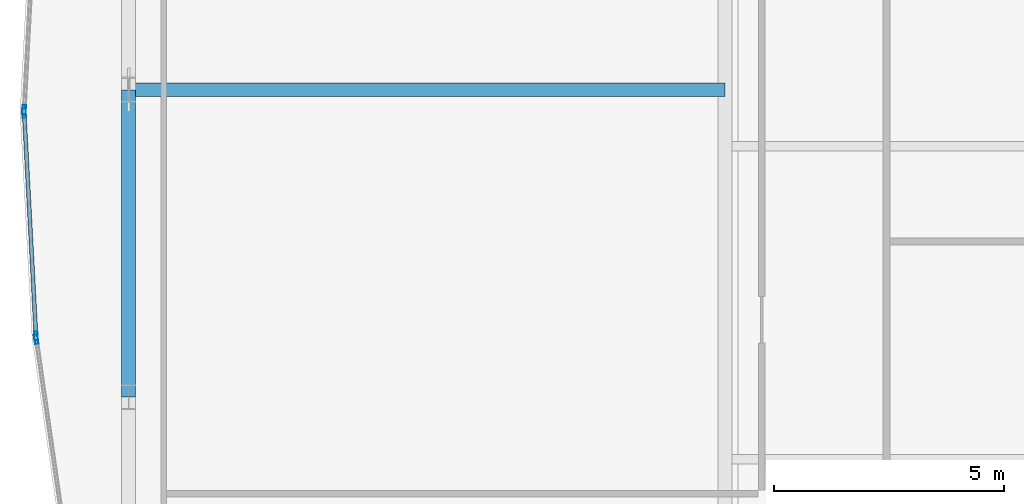
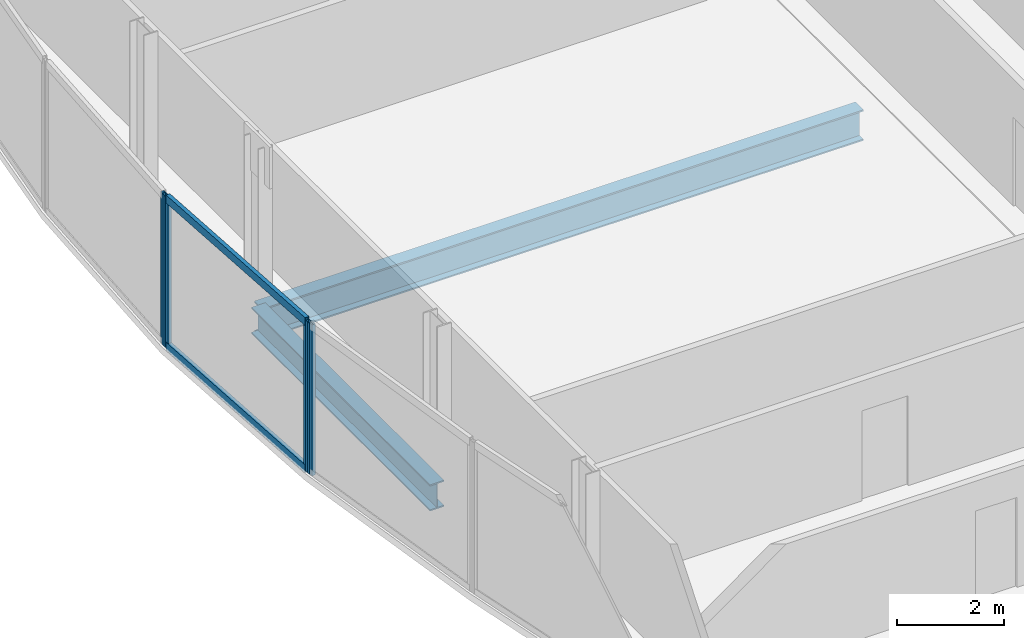
# One storey, part 10 of 29: 6 members, 2 beams, 3 elements without a shape of their own.
"""IFC4 building model written with IfcOpenShell, lengths in metres."""

from ifc_helpers import new_model, si_unit, direction, frame, origin, origin_2d, place, context, subcontext, project, spatial, hollow_rectangle, i_section, extrude, material, material_profile, profile_set, type_object, element, aggregate, save


model = new_model("IFC4")

# Units and contexts
model_context = context("Model", 3, precision=1e-05, world=origin(), true_north=direction((0.0, 1.0)))
body_context = subcontext(model_context, "Body", "Model", "MODEL_VIEW")
ifc_project = project(units=[si_unit("LENGTHUNIT", "METRE"), si_unit("AREAUNIT", "SQUARE_METRE"), si_unit("VOLUMEUNIT", "CUBIC_METRE"), si_unit("PLANEANGLEUNIT", "RADIAN"), si_unit("MASSUNIT", "GRAM", prefix="KILO")], contexts=[model_context])

# Site, building, storey
site_placement = place(None, origin())
site = spatial("IfcSite", under=ifc_project, at=site_placement, CompositionType="ELEMENT")
building_placement = place(site_placement, origin())
building = spatial("IfcBuilding", under=site, at=building_placement, Name="Khoronbel Lancet Exchange", CompositionType="ELEMENT")
storey_placement = place(building_placement, frame((0.0, 0.0, 154.199951171875)))
storey = spatial("IfcBuildingStorey", under=building, at=storey_placement, Name="L38", CompositionType="ELEMENT", Elevation=154.199951171875)

# Beams
ifc_material_1 = material(Name="Steel S355", Category="steel")
ifc_material_profile_1 = material_profile(ifc_material_1, i_section(OverallWidth=0.300048828125, OverallDepth=0.699951171875, WebThickness=0.01708984375, FlangeThickness=0.031982421875, at=origin_2d()), Name="HEB 700")
ifc_profile_set_1 = profile_set([ifc_material_profile_1], Name="Steel S355")
beam_type_1 = type_object("IfcBeamType", Name="BM-BG3", PredefinedType="BEAM", material=ifc_profile_set_1)
beam_1_placement = place(storey_placement, frame((5.27001953125, 31.425048828125, -0.510009765625), z_axis=(1.0, 0.0, 0.0), x_axis=(0.0, 1.0, 0.0)))
element("IfcBeam", 1, at=beam_1_placement, inside=storey, type_object=beam_type_1, Name="Level L38 west lens tie girder LG2W", PredefinedType="BEAM", context=body_context, shape_type="SweptSolid", body=[
    extrude(i_section(OverallWidth=0.300048828125, OverallDepth=0.699951171875, WebThickness=0.01708984375, FlangeThickness=0.031982421875, at=origin_2d()), origin(), (0.0, 0.0, 1.0), 12.955078125),
])
ifc_material_profile_2 = material_profile(ifc_material_1, i_section(OverallWidth=0.300048828125, OverallDepth=0.60009765625, WebThickness=0.015380859375, FlangeThickness=0.030029296875, at=origin_2d()), Name="HEB 600")
ifc_profile_set_2 = profile_set([ifc_material_profile_2], Name="Steel S355")
beam_type_2 = type_object("IfcBeamType", Name="BM-BSP2", PredefinedType="SPANDREL", material=ifc_profile_set_2)
beam_2_placement = place(storey_placement, frame((5.27001953125, 31.425048828125, -0.4599609375), z_axis=(0.0, -1.0, 0.0), x_axis=(1.0, 0.0, 0.0)))
element("IfcBeam", 2, at=beam_2_placement, inside=storey, type_object=beam_type_2, Name="Level L38 perimeter spandrel beam SP19", PredefinedType="SPANDREL", context=body_context, shape_type="SweptSolid", body=[
    extrude(i_section(OverallWidth=0.300048828125, OverallDepth=0.60009765625, WebThickness=0.015380859375, FlangeThickness=0.030029296875, at=origin_2d()), origin(), (0.0, 0.0, 1.0), 6.675048828125),
])

# Curtain wall, member
ifc_material_2 = material(Name="Low-E Solar Control Insulating Glass", Category="glass")
curtain_wall_type = type_object("IfcCurtainWallType", Name="CW-4", PredefinedType="NOTDEFINED", material=ifc_material_2)
curtain_wall_1_placement = place(storey_placement, origin())
curtain_wall_1 = element("IfcCurtainWall", 3, at=curtain_wall_1_placement, inside=storey, type_object=curtain_wall_type, Name="Unitised curtain wall CW-L38-E05", PredefinedType="NOTDEFINED")
ifc_material_3 = material(Name="Bronze-Anodised Aluminium 6063-T6", Category="aluminium")
ifc_material_profile_3 = material_profile(ifc_material_3, hollow_rectangle(XDim=0.074951171875, YDim=0.199951171875, WallThickness=0.0048828125, at=origin_2d()), Name="ALU MULLION 75x200")
ifc_profile_set_3 = profile_set([ifc_material_profile_3], Name="Bronze-Anodised Aluminium 6063-T6")
member_type_1 = type_object("IfcMemberType", Name="MEM-CWM2", PredefinedType="MULLION", material=ifc_profile_set_3)
member_1_placement = place(storey_placement, frame((3.26513671875, 26.0048828125, 0.0), z_axis=(0.0, 0.0, 1.0), x_axis=(-0.989732666103, -0.142930926147, 0.0)))
member_1 = element("IfcMember", 4, at=member_1_placement, type_object=member_type_1, Name="CW4 mullion 2", PredefinedType="MULLION", context=body_context, shape_type="SweptSolid", body=[
    extrude(hollow_rectangle(XDim=0.074951171875, YDim=0.199951171875, WallThickness=0.0048828125, at=origin_2d()), origin(), (0.0, 0.0, 1.0), 3.43994140625),
])
aggregate(curtain_wall_1, [member_1])

# Curtain wall, members
curtain_wall_2_placement = place(storey_placement, origin())
curtain_wall_2 = element("IfcCurtainWall", 5, at=curtain_wall_2_placement, inside=storey, type_object=curtain_wall_type, Name="Unitised curtain wall CW-L38-E06", PredefinedType="NOTDEFINED")
member_2_placement = place(storey_placement, frame((3.2578125, 26.07958984375, 0.0), z_axis=(0.0, 0.0, 1.0), x_axis=(-0.998605097412, -0.052800183936, 0.0)))
member_2 = element("IfcMember", 6, at=member_2_placement, type_object=member_type_1, Name="CW4 mullion 1", PredefinedType="MULLION", context=body_context, shape_type="SweptSolid", body=[
    extrude(hollow_rectangle(XDim=0.074951171875, YDim=0.199951171875, WallThickness=0.0048828125, at=origin_2d()), origin(), (0.0, 0.0, 1.0), 3.43994140625),
])
member_3_placement = place(storey_placement, frame((3.002197265625, 30.91259765625, 0.0), z_axis=(0.0, 0.0, 1.0), x_axis=(-0.998605097412, -0.052800183936, 0.0)))
member_3 = element("IfcMember", 7, at=member_3_placement, type_object=member_type_1, Name="CW4 mullion 2", PredefinedType="MULLION", context=body_context, shape_type="SweptSolid", body=[
    extrude(hollow_rectangle(XDim=0.074951171875, YDim=0.199951171875, WallThickness=0.0048828125, at=origin_2d()), origin(), (0.0, 0.0, 1.0), 3.43994140625),
])

# Curtain wall, member
curtain_wall_3_placement = place(storey_placement, origin())
curtain_wall_3 = element("IfcCurtainWall", 8, at=curtain_wall_3_placement, inside=storey, type_object=curtain_wall_type, Name="Unitised curtain wall CW-L38-E07", PredefinedType="NOTDEFINED")
member_4_placement = place(storey_placement, frame((3.002197265625, 30.987548828125, 0.0), z_axis=(0.0, 0.0, 1.0), x_axis=(-0.998605097412, 0.052800183936, 0.0)))
member_4 = element("IfcMember", 9, at=member_4_placement, type_object=member_type_1, Name="CW4 mullion 1", PredefinedType="MULLION", context=body_context, shape_type="SweptSolid", body=[
    extrude(hollow_rectangle(XDim=0.074951171875, YDim=0.199951171875, WallThickness=0.0048828125, at=origin_2d()), origin(), (0.0, 0.0, 1.0), 3.43994140625),
])
aggregate(curtain_wall_3, [member_4])

# Member
ifc_material_profile_4 = material_profile(ifc_material_3, hollow_rectangle(XDim=0.0849609375, YDim=0.179931640625, WallThickness=0.0048828125, at=origin_2d()), Name="ALU TRANSOM 85x180")
ifc_profile_set_4 = profile_set([ifc_material_profile_4], Name="Bronze-Anodised Aluminium 6063-T6")
member_type_2 = type_object("IfcMemberType", Name="MEM-CWT1", PredefinedType="USERDEFINED", material=ifc_profile_set_4)
member_5_placement = place(storey_placement, frame((3.255859375, 26.116943359375, 0.04248046875), z_axis=(-0.052827767017, 0.998603638603, 0.0), x_axis=(-0.998603638603, -0.052827767017, 0.0)))
member_5 = element("IfcMember", 10, at=member_5_placement, type_object=member_type_2, Name="CW4 transom 1.1", ObjectType="TRANSOM", PredefinedType="USERDEFINED", context=body_context, shape_type="SweptSolid", body=[
    extrude(hollow_rectangle(XDim=0.0849609375, YDim=0.179931640625, WallThickness=0.0048828125, at=origin_2d()), origin(), (0.0, 0.0, 1.0), 4.7646484375),
])

member_6_placement = place(storey_placement, frame((3.255859375, 26.116943359375, 3.3974609375), z_axis=(-0.052827767017, 0.998603638603, 0.0), x_axis=(-0.998603638603, -0.052827767017, 0.0)))
member_6 = element("IfcMember", 11, at=member_6_placement, type_object=member_type_2, Name="CW4 transom 1.2", ObjectType="TRANSOM", PredefinedType="USERDEFINED", context=body_context, shape_type="SweptSolid", body=[
    extrude(hollow_rectangle(XDim=0.0849609375, YDim=0.179931640625, WallThickness=0.0048828125, at=origin_2d()), origin(), (0.0, 0.0, 1.0), 4.7646484375),
])

aggregate(curtain_wall_2, [member_2, member_3, member_5, member_6])

save(model, "model.ifc")
